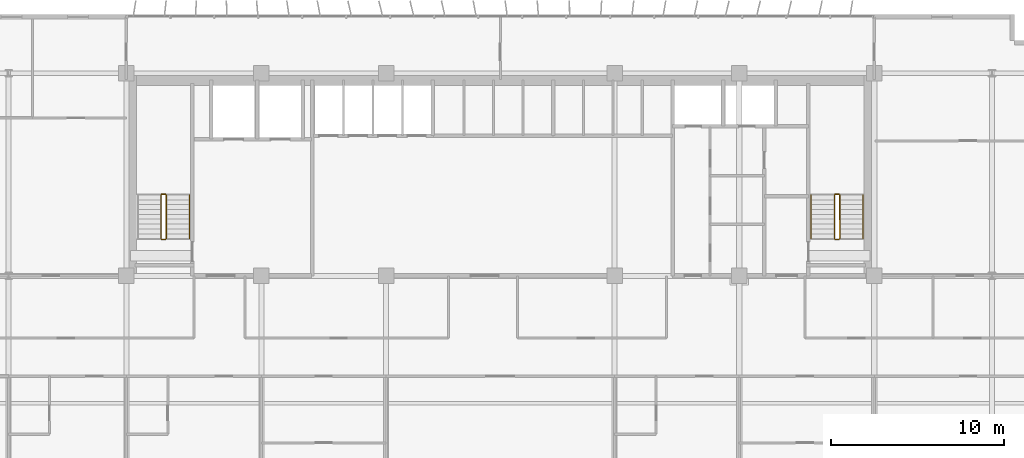
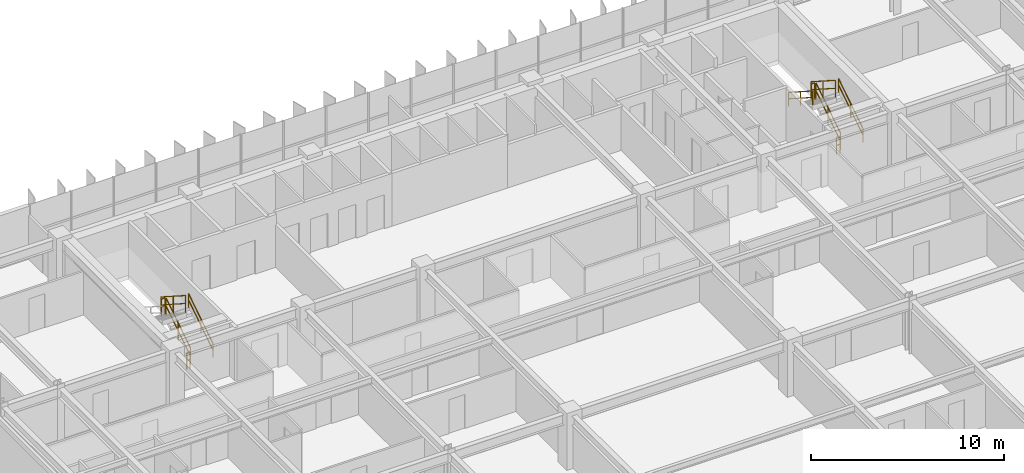
# One storey, part 22 of 23: 11 railings.
"""IFC4 building model written with IfcOpenShell, lengths in metres."""

from ifc_helpers import new_model, si_unit, direction, frame, origin, origin_2d, place, context, subcontext, project, spatial, rectangle, extrude, material, type_object, element, save


model = new_model("IFC4")

# Units and contexts
model_context = context("Model", 3, precision=1e-05, world=origin(), true_north=direction((0.0, 1.0)))
body_context = subcontext(model_context, "Body", "Model", "MODEL_VIEW")
ifc_project = project(units=[si_unit("LENGTHUNIT", "METRE"), si_unit("AREAUNIT", "SQUARE_METRE"), si_unit("VOLUMEUNIT", "CUBIC_METRE"), si_unit("PLANEANGLEUNIT", "RADIAN"), si_unit("MASSUNIT", "GRAM", prefix="KILO")], contexts=[model_context])

# Site, building, storey
site_placement = place(None, origin())
site = spatial("IfcSite", under=ifc_project, at=site_placement, CompositionType="ELEMENT")
building_placement = place(site_placement, origin())
building = spatial("IfcBuilding", under=site, at=building_placement, Name="Trelvane Seafront Commons", CompositionType="ELEMENT")
storey_placement = place(building_placement, frame((0.0, 0.0, 63.10009765625)))
storey = spatial("IfcBuildingStorey", under=building, at=storey_placement, Name="L16", CompositionType="ELEMENT", Elevation=63.10009765625)

# Railings
ifc_material = material(Name="Stainless steel balustrade", Category="steel")
railing_type_1 = type_object("IfcRailingType", Name="ARCH-SRL-GUARD", PredefinedType="GUARDRAIL", material=ifc_material)
railing_1_placement = place(storey_placement, frame((17.89990234375, 35.550048828125, 0.179931640625)))
element("IfcRailing", 1, at=railing_1_placement, inside=storey, type_object=railing_type_1, Name="L16 ST-1 stair guard 1", PredefinedType="GUARDRAIL", context=body_context, shape_type="SweptSolid", body=[
    extrude(rectangle(XDim=0.048095703125, YDim=0.048095703125, at=origin_2d()), frame((0.0, 0.0, 1.076171875), z_axis=(0.0, 0.841199657755, 0.540724639528), x_axis=(-1.0, 0.0, 0.0)), (0.0, 0.0, 1.0), 2.995849609375),
    extrude(rectangle(XDim=0.048095703125, YDim=0.048095703125, at=origin_2d()), frame((0.0, 0.0, 0.572021484375), z_axis=(0.0, 0.841199657755, 0.540724639528), x_axis=(-1.0, 0.0, 0.0)), (0.0, 0.0, 1.0), 2.995849609375),
    extrude(rectangle(XDim=0.0419921875, YDim=0.0419921875, at=origin_2d()), origin(), (0.0, 0.0, 1.0), 1.076171875),
    extrude(rectangle(XDim=0.0419921875, YDim=0.0419921875, at=origin_2d()), frame((0.0, 1.260009765625, 0.81005859375)), (0.0, 0.0, 1.0), 1.076171875),
    extrude(rectangle(XDim=0.0419921875, YDim=0.0419921875, at=origin_2d()), frame((0.0, 2.52001953125, 1.619873046875)), (0.0, 0.0, 1.0), 1.076171875),
])
railing_2_placement = place(storey_placement, frame((17.85009765625, 38.1201171875, 1.7998046875)))
element("IfcRailing", 2, at=railing_2_placement, inside=storey, type_object=railing_type_1, Name="L16 ST-1 stair guard 2", PredefinedType="GUARDRAIL", context=body_context, shape_type="SweptSolid", body=[
    extrude(rectangle(XDim=0.048095703125, YDim=0.048095703125, at=origin_2d()), frame((0.0, 0.0, 1.076171875), z_axis=(-1.0, 0.0, 0.0), x_axis=(0.0, -1.0, 0.0)), (0.0, 0.0, 1.0), 0.2001953125),
    extrude(rectangle(XDim=0.048095703125, YDim=0.048095703125, at=origin_2d()), frame((0.0, 0.0, 0.572021484375), z_axis=(-1.0, 0.0, 0.0), x_axis=(0.0, -1.0, 0.0)), (0.0, 0.0, 1.0), 0.2001953125),
    extrude(rectangle(XDim=0.0419921875, YDim=0.0419921875, at=origin_2d()), origin(), (0.0, 0.0, 1.0), 1.076171875),
    extrude(rectangle(XDim=0.0419921875, YDim=0.0419921875, at=origin_2d()), frame((-0.2001953125, 0.0, 0.0)), (0.0, 0.0, 1.0), 1.076171875),
])
railing_3_placement = place(storey_placement, frame((17.60009765625, 38.070068359375, 1.97998046875)))
element("IfcRailing", 3, at=railing_3_placement, inside=storey, type_object=railing_type_1, Name="L16 ST-1 stair guard 3", PredefinedType="GUARDRAIL", context=body_context, shape_type="SweptSolid", body=[
    extrude(rectangle(XDim=0.048095703125, YDim=0.048095703125, at=origin_2d()), frame((0.0, 0.0, 1.076171875), z_axis=(0.0, -0.841199657755, 0.540724639528), x_axis=(1.0, 0.0, 0.0)), (0.0, 0.0, 1.0), 2.995849609375),
    extrude(rectangle(XDim=0.048095703125, YDim=0.048095703125, at=origin_2d()), frame((0.0, 0.0, 0.572021484375), z_axis=(0.0, -0.841199657755, 0.540724639528), x_axis=(1.0, 0.0, 0.0)), (0.0, 0.0, 1.0), 2.995849609375),
    extrude(rectangle(XDim=0.0419921875, YDim=0.0419921875, at=origin_2d()), origin(), (0.0, 0.0, 1.0), 1.076171875),
    extrude(rectangle(XDim=0.0419921875, YDim=0.0419921875, at=origin_2d()), frame((0.0, -1.260009765625, 0.81005859375)), (0.0, 0.0, 1.0), 1.076171875),
    extrude(rectangle(XDim=0.0419921875, YDim=0.0419921875, at=origin_2d()), frame((0.0, -2.52001953125, 1.619873046875)), (0.0, 0.0, 1.0), 1.076171875),
])
railing_4_placement = place(storey_placement, frame((17.85009765625, 35.5, 0.0)))
element("IfcRailing", 4, at=railing_4_placement, inside=storey, type_object=railing_type_1, Name="L16 ST-1 stair guard 4", PredefinedType="GUARDRAIL", context=body_context, shape_type="SweptSolid", body=[
    extrude(rectangle(XDim=0.048095703125, YDim=0.048095703125, at=origin_2d()), frame((0.0, 0.0, 1.076171875), z_axis=(-1.0, 0.0, 0.0), x_axis=(0.0, -1.0, 0.0)), (0.0, 0.0, 1.0), 0.2001953125),
    extrude(rectangle(XDim=0.048095703125, YDim=0.048095703125, at=origin_2d()), frame((0.0, 0.0, 0.572021484375), z_axis=(-1.0, 0.0, 0.0), x_axis=(0.0, -1.0, 0.0)), (0.0, 0.0, 1.0), 0.2001953125),
    extrude(rectangle(XDim=0.0419921875, YDim=0.0419921875, at=origin_2d()), origin(), (0.0, 0.0, 1.0), 1.076171875),
    extrude(rectangle(XDim=0.0419921875, YDim=0.0419921875, at=origin_2d()), frame((-0.2001953125, 0.0, 0.0)), (0.0, 0.0, 1.0), 1.076171875),
])
railing_5_placement = place(storey_placement, frame((56.800048828125, 35.550048828125, 0.179931640625)))
element("IfcRailing", 5, at=railing_5_placement, inside=storey, type_object=railing_type_1, Name="L16 ST-2 stair guard 1", PredefinedType="GUARDRAIL", context=body_context, shape_type="SweptSolid", body=[
    extrude(rectangle(XDim=0.048095703125, YDim=0.048095703125, at=origin_2d()), frame((0.0, 0.0, 1.076171875), z_axis=(0.0, 0.841199657755, 0.540724639528), x_axis=(-1.0, 0.0, 0.0)), (0.0, 0.0, 1.0), 2.995849609375),
    extrude(rectangle(XDim=0.048095703125, YDim=0.048095703125, at=origin_2d()), frame((0.0, 0.0, 0.572021484375), z_axis=(0.0, 0.841199657755, 0.540724639528), x_axis=(-1.0, 0.0, 0.0)), (0.0, 0.0, 1.0), 2.995849609375),
    extrude(rectangle(XDim=0.0419921875, YDim=0.0419921875, at=origin_2d()), origin(), (0.0, 0.0, 1.0), 1.076171875),
    extrude(rectangle(XDim=0.0419921875, YDim=0.0419921875, at=origin_2d()), frame((0.0, 1.260009765625, 0.81005859375)), (0.0, 0.0, 1.0), 1.076171875),
    extrude(rectangle(XDim=0.0419921875, YDim=0.0419921875, at=origin_2d()), frame((0.0, 2.52001953125, 1.619873046875)), (0.0, 0.0, 1.0), 1.076171875),
])
railing_6_placement = place(storey_placement, frame((56.75, 38.1201171875, 1.7998046875)))
element("IfcRailing", 6, at=railing_6_placement, inside=storey, type_object=railing_type_1, Name="L16 ST-2 stair guard 2", PredefinedType="GUARDRAIL", context=body_context, shape_type="SweptSolid", body=[
    extrude(rectangle(XDim=0.048095703125, YDim=0.048095703125, at=origin_2d()), frame((0.0, 0.0, 1.076171875), z_axis=(-1.0, 0.0, 0.0), x_axis=(0.0, -1.0, 0.0)), (0.0, 0.0, 1.0), 0.199951171875),
    extrude(rectangle(XDim=0.048095703125, YDim=0.048095703125, at=origin_2d()), frame((0.0, 0.0, 0.572021484375), z_axis=(-1.0, 0.0, 0.0), x_axis=(0.0, -1.0, 0.0)), (0.0, 0.0, 1.0), 0.199951171875),
    extrude(rectangle(XDim=0.0419921875, YDim=0.0419921875, at=origin_2d()), origin(), (0.0, 0.0, 1.0), 1.076171875),
    extrude(rectangle(XDim=0.0419921875, YDim=0.0419921875, at=origin_2d()), frame((-0.199951171875, 0.0, 0.0)), (0.0, 0.0, 1.0), 1.076171875),
])
railing_7_placement = place(storey_placement, frame((56.5, 38.070068359375, 1.97998046875)))
element("IfcRailing", 7, at=railing_7_placement, inside=storey, type_object=railing_type_1, Name="L16 ST-2 stair guard 3", PredefinedType="GUARDRAIL", context=body_context, shape_type="SweptSolid", body=[
    extrude(rectangle(XDim=0.048095703125, YDim=0.048095703125, at=origin_2d()), frame((0.0, 0.0, 1.076171875), z_axis=(0.0, -0.841199657755, 0.540724639528), x_axis=(1.0, 0.0, 0.0)), (0.0, 0.0, 1.0), 2.995849609375),
    extrude(rectangle(XDim=0.048095703125, YDim=0.048095703125, at=origin_2d()), frame((0.0, 0.0, 0.572021484375), z_axis=(0.0, -0.841199657755, 0.540724639528), x_axis=(1.0, 0.0, 0.0)), (0.0, 0.0, 1.0), 2.995849609375),
    extrude(rectangle(XDim=0.0419921875, YDim=0.0419921875, at=origin_2d()), origin(), (0.0, 0.0, 1.0), 1.076171875),
    extrude(rectangle(XDim=0.0419921875, YDim=0.0419921875, at=origin_2d()), frame((0.0, -1.260009765625, 0.81005859375)), (0.0, 0.0, 1.0), 1.076171875),
    extrude(rectangle(XDim=0.0419921875, YDim=0.0419921875, at=origin_2d()), frame((0.0, -2.52001953125, 1.619873046875)), (0.0, 0.0, 1.0), 1.076171875),
])
railing_8_placement = place(storey_placement, frame((56.75, 35.5, 0.0)))
element("IfcRailing", 8, at=railing_8_placement, inside=storey, type_object=railing_type_1, Name="L16 ST-2 stair guard 4", PredefinedType="GUARDRAIL", context=body_context, shape_type="SweptSolid", body=[
    extrude(rectangle(XDim=0.048095703125, YDim=0.048095703125, at=origin_2d()), frame((0.0, 0.0, 1.076171875), z_axis=(-1.0, 0.0, 0.0), x_axis=(0.0, -1.0, 0.0)), (0.0, 0.0, 1.0), 0.199951171875),
    extrude(rectangle(XDim=0.048095703125, YDim=0.048095703125, at=origin_2d()), frame((0.0, 0.0, 0.572021484375), z_axis=(-1.0, 0.0, 0.0), x_axis=(0.0, -1.0, 0.0)), (0.0, 0.0, 1.0), 0.199951171875),
    extrude(rectangle(XDim=0.0419921875, YDim=0.0419921875, at=origin_2d()), origin(), (0.0, 0.0, 1.0), 1.076171875),
    extrude(rectangle(XDim=0.0419921875, YDim=0.0419921875, at=origin_2d()), frame((-0.199951171875, 0.0, 0.0)), (0.0, 0.0, 1.0), 1.076171875),
])
railing_type_2 = type_object("IfcRailingType", Name="ARCH-SRL-HAND", PredefinedType="HANDRAIL", material=ifc_material)
for number, where, name in (
    (9, (19.25, 35.550048828125, 0.179931640625), "L16 ST-1 stair handrail 1"),
    (10, (58.14990234375, 35.550048828125, 0.179931640625), "L16 ST-2 stair handrail 1"),
):
    element("IfcRailing", number, at=place(storey_placement, frame(where)), inside=storey, type_object=railing_type_2, Name=name, PredefinedType="HANDRAIL", context=body_context, shape_type="SweptSolid", body=[
        extrude(rectangle(XDim=0.048095703125, YDim=0.048095703125, at=origin_2d()), frame((0.0, 0.0, 0.8759765625), z_axis=(0.0, 0.841199657755, 0.540724639528), x_axis=(-1.0, 0.0, 0.0)), (0.0, 0.0, 1.0), 2.995849609375),
        extrude(rectangle(XDim=0.048095703125, YDim=0.048095703125, at=origin_2d()), frame((0.0, 0.0, 0.468017578125), z_axis=(0.0, 0.841199657755, 0.540724639528), x_axis=(-1.0, 0.0, 0.0)), (0.0, 0.0, 1.0), 2.995849609375),
        extrude(rectangle(XDim=0.0419921875, YDim=0.0419921875, at=origin_2d()), origin(), (0.0, 0.0, 1.0), 0.8759765625),
        extrude(rectangle(XDim=0.0419921875, YDim=0.0419921875, at=origin_2d()), frame((0.0, 1.260009765625, 0.81005859375)), (0.0, 0.0, 1.0), 0.8759765625),
        extrude(rectangle(XDim=0.0419921875, YDim=0.0419921875, at=origin_2d()), frame((0.0, 2.52001953125, 1.619873046875)), (0.0, 0.0, 1.0), 0.8759765625),
    ])
railing_9_placement = place(storey_placement, frame((55.14990234375, 38.070068359375, 1.97998046875)))
element("IfcRailing", 11, at=railing_9_placement, inside=storey, type_object=railing_type_2, Name="L16 ST-2 stair handrail 2", PredefinedType="HANDRAIL", context=body_context, shape_type="SweptSolid", body=[
    extrude(rectangle(XDim=0.048095703125, YDim=0.048095703125, at=origin_2d()), frame((0.0, 0.0, 0.8759765625), z_axis=(0.0, -0.841199657755, 0.540724639528), x_axis=(1.0, 0.0, 0.0)), (0.0, 0.0, 1.0), 2.995849609375),
    extrude(rectangle(XDim=0.048095703125, YDim=0.048095703125, at=origin_2d()), frame((0.0, 0.0, 0.468017578125), z_axis=(0.0, -0.841199657755, 0.540724639528), x_axis=(1.0, 0.0, 0.0)), (0.0, 0.0, 1.0), 2.995849609375),
    extrude(rectangle(XDim=0.0419921875, YDim=0.0419921875, at=origin_2d()), origin(), (0.0, 0.0, 1.0), 0.8759765625),
    extrude(rectangle(XDim=0.0419921875, YDim=0.0419921875, at=origin_2d()), frame((0.0, -1.260009765625, 0.81005859375)), (0.0, 0.0, 1.0), 0.8759765625),
    extrude(rectangle(XDim=0.0419921875, YDim=0.0419921875, at=origin_2d()), frame((0.0, -2.52001953125, 1.619873046875)), (0.0, 0.0, 1.0), 0.8759765625),
])

save(model, "model.ifc")
